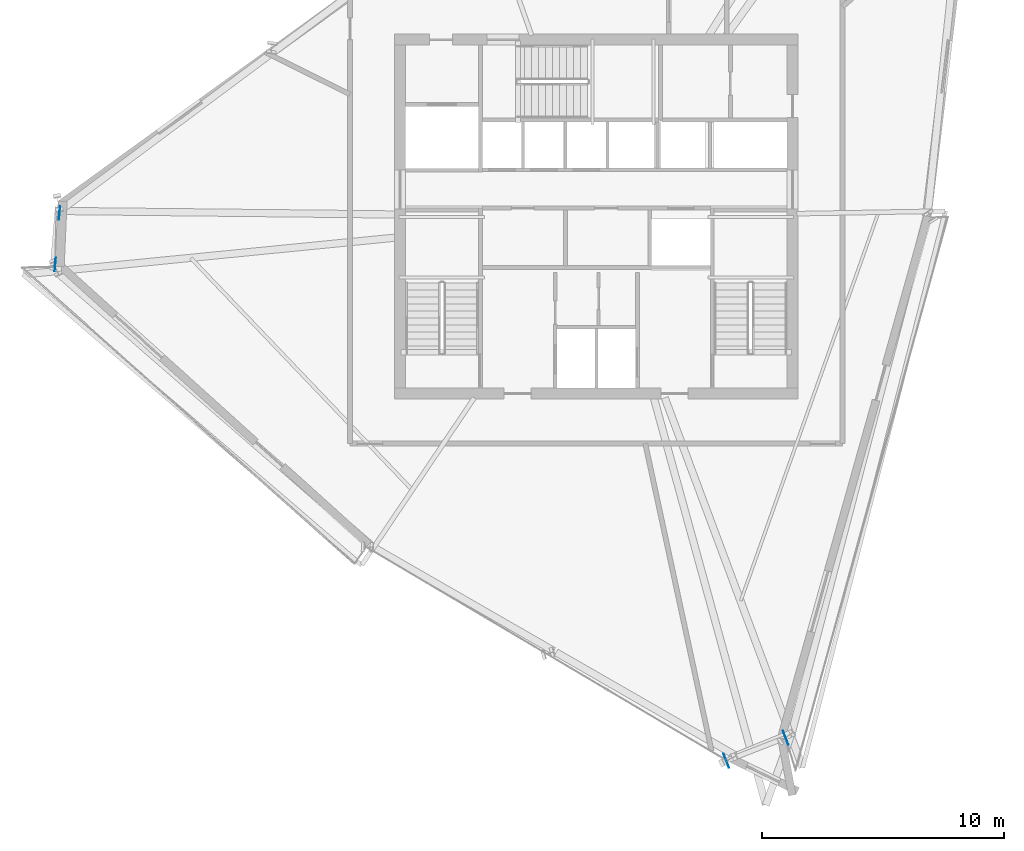
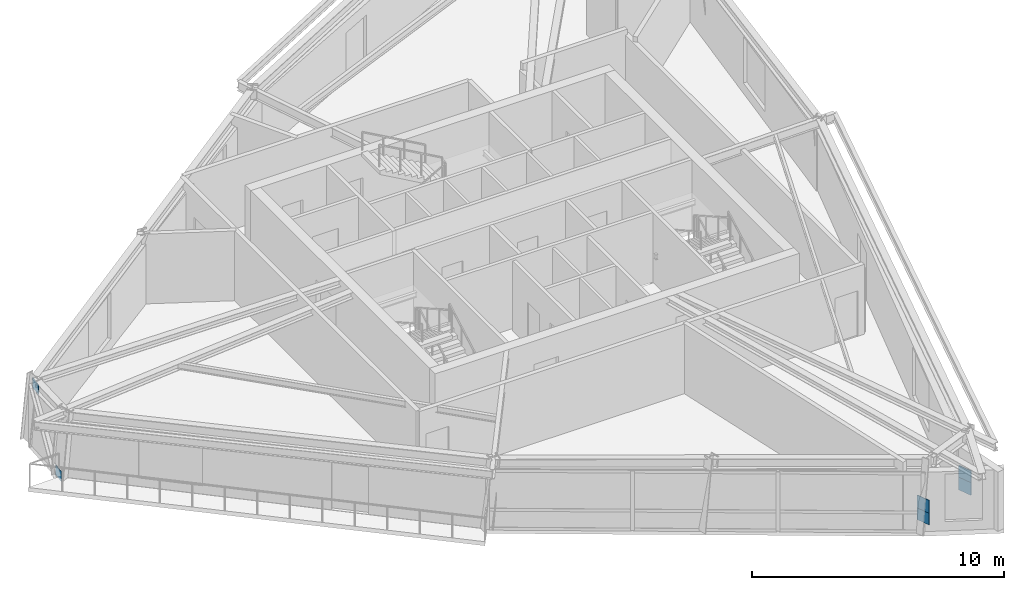
# One storey, part 7 of 14: 6 plates.
"""IFC4 building model written with IfcOpenShell, lengths in metres."""

from ifc_helpers import new_model, si_unit, direction, frame, origin, origin_2d, place, context, subcontext, project, spatial, rectangle, extrude, source, transform, mapped, material, type_object, element, save


model = new_model("IFC4")

# Units and contexts
model_context = context("Model", 3, precision=1e-05, world=origin(), true_north=direction((0.0, 1.0)))
body_context = subcontext(model_context, "Body", "Model", "MODEL_VIEW")
ifc_project = project(units=[si_unit("LENGTHUNIT", "METRE"), si_unit("AREAUNIT", "SQUARE_METRE"), si_unit("VOLUMEUNIT", "CUBIC_METRE"), si_unit("PLANEANGLEUNIT", "RADIAN"), si_unit("MASSUNIT", "GRAM", prefix="KILO")], contexts=[model_context])

# Site, building, storey
site_placement = place(None, origin())
site = spatial("IfcSite", under=ifc_project, at=site_placement, CompositionType="ELEMENT")
building_placement = place(site_placement, origin())
building = spatial("IfcBuilding", under=site, at=building_placement, Name="Olszyna Solenne Hotel", CompositionType="ELEMENT")
storey_placement = place(building_placement, frame((0.0, 0.0, 259.699951171875)))
storey = spatial("IfcBuildingStorey", under=building, at=storey_placement, Name="L69", CompositionType="ELEMENT", Elevation=259.699951171875)

# Plates
ifc_material_1 = material(Name="Steel S460M", Category="steel")
plate_type_1 = type_object("IfcPlateType", Name="GP-CAP2", PredefinedType="USERDEFINED", material=ifc_material_1)
shared_shape_1 = source(origin(), body_context, "Body", "SweptSolid", [
    extrude(rectangle(XDim=0.030029296875, YDim=0.6201171875, at=origin_2d()), origin(), (0.0, 0.0, 1.0), 0.6201171875),
])
for number, where, z_axis, x_axis, name in (
    (1, (43.3837890625, 4.068603515625, 1.0400390625), (0.0, 0.0, 1.0), (0.932323801216, 0.361624570082, 0.0), "Hollow section end-cap plate GP-CAP2 CP-PR-M-L69-PR1-1"),
    (2, (45.841796875, 5.02197265625, 1.0400390625), (0.0, 0.0, 1.0), (0.932323801216, 0.361624570082, 0.0), "Hollow section end-cap plate GP-CAP2 CP-PR-M-L69-PR1-2"),
    (3, (43.3837890625, 4.068603515625, 0.469970703125), (0.0, 0.0, 1.0), (0.932323801216, 0.361624570082, 0.0), "Hollow section end-cap plate GP-CAP2 CP-PR-M-L69-PR2-1"),
    (4, (45.841796875, 5.02197265625, 0.469970703125), (0.0, 0.0, 1.0), (0.932323801216, 0.361624570082, 0.0), "Hollow section end-cap plate GP-CAP2 CP-PR-M-L69-PR2-2"),
):
    element("IfcPlate", number, at=place(storey_placement, frame(where, z_axis=z_axis, x_axis=x_axis)), inside=storey, type_object=plate_type_1, Name=name, ObjectType="GUSSET_PLATE", PredefinedType="USERDEFINED", context=body_context, shape_type="MappedRepresentation", body=[
        mapped(shared_shape_1, transform((0.0, 0.0, 0.0), x_axis=(1.0, 0.0, 0.0), y_axis=(0.0, 1.0, 0.0), z_axis=(0.0, 0.0, 1.0), scale=1.0)),
    ])
ifc_material_2 = material(Name="Steel S355J2", Category="steel")
plate_type_2 = type_object("IfcPlateType", Name="GP-ND2", PredefinedType="USERDEFINED", material=ifc_material_2)
shared_shape_2 = source(origin(), body_context, "Body", "SweptSolid", [
    extrude(rectangle(XDim=0.56005859375, YDim=0.02001953125, at=origin_2d()), origin(), (0.0, 0.0, 1.0), 0.47998046875),
])
for number, where, z_axis, x_axis, name in (
    (5, (15.5966796875, 24.62060546875, -0.11767578125), (0.0, 0.0, 1.0), (0.082808207512, 0.996565502498, 0.0), "Brace end connection gusset plate GP-ND2 EP-BR-L69-2-1"),
    (6, (15.773681640625, 26.74951171875, 2.752685546875), (0.0, 0.0, 1.0), (0.082808207512, 0.996565502498, 0.0), "Brace end connection gusset plate GP-ND2 EP-BR-L69-2-2"),
):
    element("IfcPlate", number, at=place(storey_placement, frame(where, z_axis=z_axis, x_axis=x_axis)), inside=storey, type_object=plate_type_2, Name=name, ObjectType="GUSSET_PLATE", PredefinedType="USERDEFINED", context=body_context, shape_type="MappedRepresentation", body=[
        mapped(shared_shape_2, transform((0.0, 0.0, 0.0), x_axis=(1.0, 0.0, 0.0), y_axis=(0.0, 1.0, 0.0), z_axis=(0.0, 0.0, 1.0), scale=1.0)),
    ])

save(model, "model.ifc")
